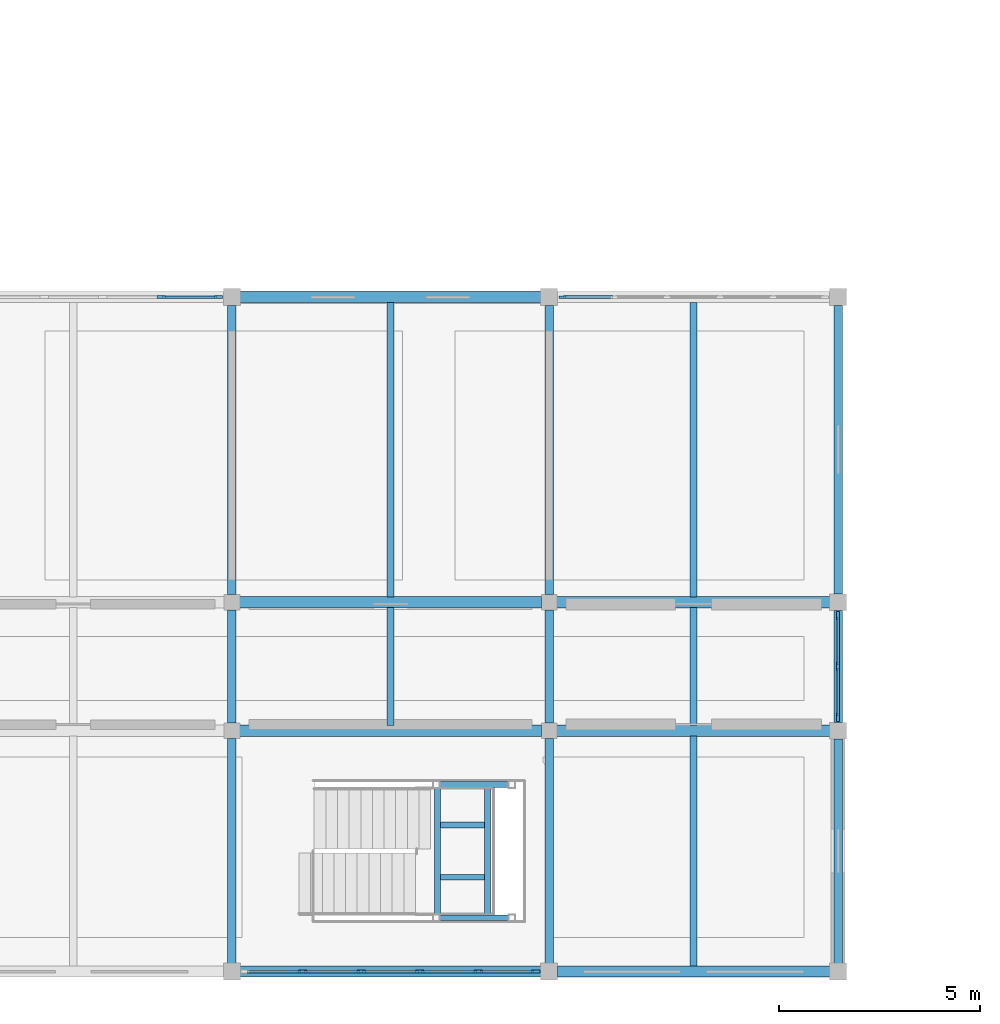
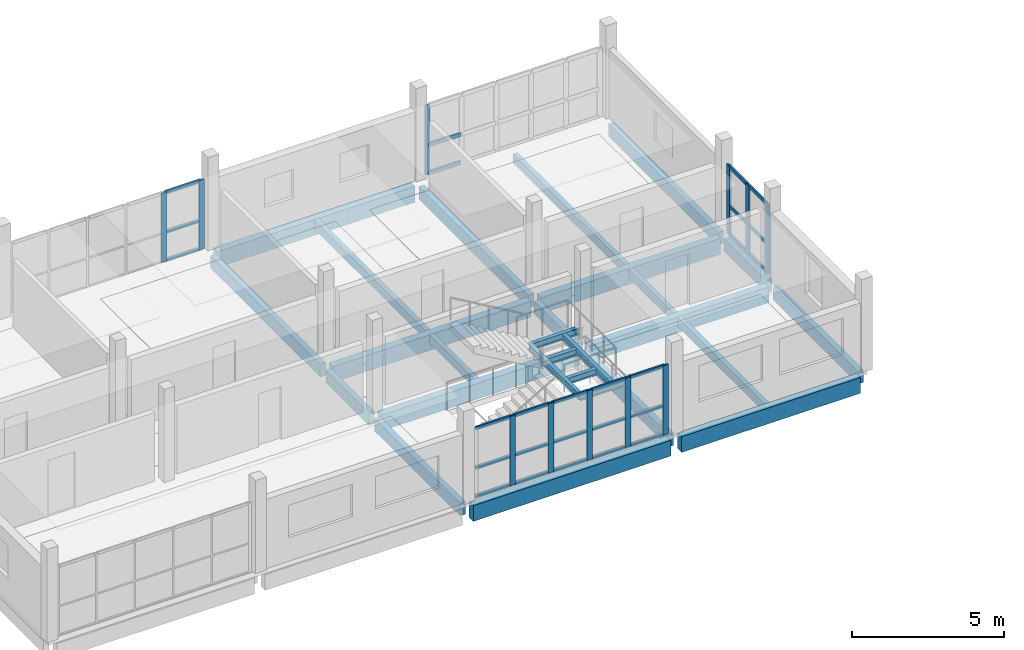
# One storey, part 16 of 77: 37 members, 27 beams, 4 elements without a shape of their own.
"""IFC4 building model written with IfcOpenShell, lengths in metres."""

import ifcopenshell
import ifcopenshell.guid

model = None  # the IFC model being written
_history = None  # IfcOwnerHistory: only IFC2X3 demands one
_inside = {}  # id of a spatial element -> (the spatial element, [elements in it])
_under = {}  # id of a project, library or spatial element -> (it, [spatial elements below it])
_declared = {}  # id of a project -> (the project, [libraries it declares])
_typed = {}  # id of a type object -> (the type object, [elements of that type])
_made_of = {}  # id of a material, layer set ... -> (it, [elements and type objects made of it])


def new_model(schema):
    """Start an empty IFC model of exactly this schema.

    Asked for "IFC4X3", IfcOpenShell would pick the latest addendum, in which some entities
    have other attributes; the version numbers below select the first issue.
    IFC2X3 requires an IfcOwnerHistory on every rooted entity: one is made here for all.
    """
    global model, _history
    if schema == "IFC4X3":
        model = ifcopenshell.file(schema_version=(4, 3, 0, 0))
    else:
        model = ifcopenshell.file(schema=schema)
    _inside.clear()
    _under.clear()
    _declared.clear()
    _typed.clear()
    _made_of.clear()
    _history = None
    if model.schema == "IFC2X3":
        org = make("IfcOrganization", Name="unknown")
        user = make(
            "IfcPersonAndOrganization",
            ThePerson=make("IfcPerson", FamilyName="unknown"),
            TheOrganization=org,
        )
        app = make(
            "IfcApplication",
            ApplicationDeveloper=org,
            Version="unknown",
            ApplicationFullName="unknown",
            ApplicationIdentifier="unknown",
        )
        _history = make(
            "IfcOwnerHistory",
            OwningUser=user,
            OwningApplication=app,
            ChangeAction="ADDED",
            CreationDate=0,
        )
    return model


def make(cls, **values):
    """One entity of the class cls with the attributes given. An attribute that is None is left unset."""
    return model.create_entity(
        cls, **{name: value for name, value in values.items() if value is not None}
    )


def rooted(cls, **values):
    """An entity with a GlobalId (a new one), such as an element, a storey or a relation."""
    return make(cls, GlobalId=ifcopenshell.guid.new(), OwnerHistory=_history, **values)


def si_unit(unit_type, name, prefix=None):
    """IfcSIUnit, for example si_unit("LENGTHUNIT", "METRE", prefix="MILLI")."""
    return make("IfcSIUnit", UnitType=unit_type, Prefix=prefix, Name=name)


def assignment(units):
    """IfcUnitAssignment: the units of a project."""
    return None if units is None else make("IfcUnitAssignment", Units=units)


def point(xyz):
    """IfcCartesianPoint."""
    return None if xyz is None else make("IfcCartesianPoint", Coordinates=xyz)


def direction(xyz):
    """IfcDirection."""
    return None if xyz is None else make("IfcDirection", DirectionRatios=xyz)


def frame(location, z_axis=None, x_axis=None):
    """IfcAxis2Placement3D, a coordinate frame: its origin and axes. An axis left out is left unset."""
    return make(
        "IfcAxis2Placement3D",
        Location=point(location),
        Axis=direction(z_axis),
        RefDirection=direction(x_axis),
    )


def frame_2d(location, x_axis=None):
    """IfcAxis2Placement2D, a coordinate frame in the plane: its origin and x axis."""
    return make(
        "IfcAxis2Placement2D", Location=point(location), RefDirection=direction(x_axis)
    )


def origin():
    """The frame at (0, 0, 0) with its axes left unset."""
    return frame((0.0, 0.0, 0.0))


def origin_2d():
    """The frame at (0, 0) in the plane with its x axis left unset."""
    return frame_2d((0.0, 0.0))


def place(relative_to, where):
    """IfcLocalPlacement: puts the frame where relative to a parent placement (None: the world)."""
    return make(
        "IfcLocalPlacement", PlacementRelTo=relative_to, RelativePlacement=where
    )


def context(
    kind, dimensions, precision=None, world=None, true_north=None, identifier=None
):
    """IfcGeometricRepresentationContext, for example the 3D "Model" context."""
    return make(
        "IfcGeometricRepresentationContext",
        ContextIdentifier=identifier,
        ContextType=kind,
        CoordinateSpaceDimension=dimensions,
        Precision=precision,
        WorldCoordinateSystem=world,
        TrueNorth=true_north,
    )


def subcontext(parent, identifier, kind, view, scale=None):
    """IfcGeometricRepresentationSubContext, for example "Body" below "Model"."""
    return make(
        "IfcGeometricRepresentationSubContext",
        ContextIdentifier=identifier,
        ContextType=kind,
        ParentContext=parent,
        TargetScale=scale,
        TargetView=view,
    )


def project(units=None, contexts=None):
    """IfcProject with its units and contexts."""
    return rooted(
        "IfcProject",
        Name="project",
        RepresentationContexts=contexts,
        UnitsInContext=assignment(units),
    )


def spatial(cls, under=None, at=None, **own):
    """A site, building, storey or space (cls), placed at a placement, below another one or the project."""
    s = rooted(cls, ObjectPlacement=at, **own)
    if under is not None:
        _under.setdefault(under.id(), (under, []))[1].append(s)
    return s


def profile(cls, at=None, kind="AREA", **sizes):
    """A parametric profile (cls). Its sizes go by their IFC names, for example OverallWidth=200.0."""
    return make(cls, ProfileType=kind, Position=at, **sizes)


def rectangle(**sizes):
    """IfcRectangleProfileDef."""
    return profile("IfcRectangleProfileDef", **sizes)


def i_section(**sizes):
    """IfcIShapeProfileDef."""
    return profile("IfcIShapeProfileDef", **sizes)


def extrude(swept, where, along, depth):
    """IfcExtrudedAreaSolid: the profile swept, set in the frame where, extruded along a direction by depth."""
    return make(
        "IfcExtrudedAreaSolid",
        SweptArea=swept,
        Position=where,
        ExtrudedDirection=direction(along),
        Depth=depth,
    )


def shape(context_of_items, identifier, shape_type, items):
    """IfcShapeRepresentation: the items that make up one representation, for example the "Body"."""
    return make(
        "IfcShapeRepresentation",
        ContextOfItems=context_of_items,
        RepresentationIdentifier=identifier,
        RepresentationType=shape_type,
        Items=items,
    )


def material(Name=None, Category=None):
    """IfcMaterial."""
    return make("IfcMaterial", Name=Name, Category=Category)


def layer(
    of_material, thickness, ventilated=None, Name=None, Category=None, Priority=None
):
    """IfcMaterialLayer: one layer of a wall or slab, of a material (None: an air gap)."""
    return make(
        "IfcMaterialLayer",
        Material=of_material,
        LayerThickness=thickness,
        IsVentilated=ventilated,
        Name=Name,
        Category=Category,
        Priority=Priority,
    )


def layer_set(layers, Name=None):
    """IfcMaterialLayerSet."""
    return make("IfcMaterialLayerSet", MaterialLayers=layers, LayerSetName=Name)


def material_profile(
    of_material, cross_section, Name=None, Category=None, Priority=None
):
    """IfcMaterialProfile: a cross section and its material."""
    return make(
        "IfcMaterialProfile",
        Name=Name,
        Material=of_material,
        Profile=cross_section,
        Priority=Priority,
        Category=Category,
    )


def profile_set(profiles, Name=None, composite=None):
    """IfcMaterialProfileSet."""
    return make(
        "IfcMaterialProfileSet",
        Name=Name,
        MaterialProfiles=profiles,
        CompositeProfile=composite,
    )


def made_of(thing, what):
    """Note that an element or type object is made of a material, layer set ...; save() writes the relation."""
    if what is not None:
        _made_of.setdefault(what.id(), (what, []))[1].append(thing)
    return thing


def type_object(cls, material=None, **own):
    """A type object (cls), such as IfcWallType, which elements share."""
    return made_of(rooted(cls, **own), material)


def element(
    cls,
    number,
    at=None,
    inside=None,
    cuts=None,
    type_object=None,
    material=None,
    context=None,
    identifier="Body",
    shape_type=None,
    held_by="IfcProductDefinitionShape",
    body=None,
    shapes=None,
    **own,
):
    """One element of the class cls, such as IfcWall. Its Tag is "e" and its number.

    at: its placement. inside: the storey or other place that contains it. cuts: it is an
    opening in that element (IfcRelVoidsElement). A single representation is given by context,
    identifier, shape_type and body (its items); several are given by shapes. held_by: the class
    of the entity that holds the representations. save() writes the other relations.
    """
    e = rooted(cls, Tag="e%d" % number, ObjectPlacement=at, **own)
    if body is not None:
        shapes = [shape(context, identifier, shape_type, body)]
    if shapes is not None:
        e.Representation = make(held_by, Representations=shapes)
    if inside is not None:
        _inside.setdefault(inside.id(), (inside, []))[1].append(e)
    if cuts is not None:
        rooted(
            "IfcRelVoidsElement", RelatingBuildingElement=cuts, RelatedOpeningElement=e
        )
    if type_object is not None:
        _typed.setdefault(type_object.id(), (type_object, []))[1].append(e)
    return made_of(e, material)


def aggregate(whole, parts):
    """IfcRelAggregates: a whole, such as a stair, and the parts it consists of."""
    return rooted("IfcRelAggregates", RelatingObject=whole, RelatedObjects=parts)


def save(model, path):
    """Write the relations noted so far, then the file.

    IfcRelAggregates (storeys below a building ...), IfcRelContainedInSpatialStructure (elements
    in a storey), IfcRelDefinesByType, IfcRelAssociatesMaterial and IfcRelDeclares: one each for
    every whole, place, type object, material and project.
    """
    for whole, parts in _under.values():
        aggregate(whole, parts)
    for where, things in _inside.values():
        rooted(
            "IfcRelContainedInSpatialStructure",
            RelatedElements=things,
            RelatingStructure=where,
        )
    for kind, things in _typed.values():
        rooted("IfcRelDefinesByType", RelatedObjects=things, RelatingType=kind)
    for what, things in _made_of.values():
        rooted("IfcRelAssociatesMaterial", RelatedObjects=things, RelatingMaterial=what)
    for by, libraries in _declared.values():
        rooted("IfcRelDeclares", RelatingContext=by, RelatedDefinitions=libraries)
    model.write(path)


model = new_model("IFC4")

# Units and contexts
model_context = context("Model", 3, precision=1e-05, world=origin(), true_north=direction((0.0, 1.0)))
body_context = subcontext(model_context, "Body", "Model", "MODEL_VIEW")
ifc_project = project(units=[si_unit("LENGTHUNIT", "METRE"), si_unit("AREAUNIT", "SQUARE_METRE"), si_unit("VOLUMEUNIT", "CUBIC_METRE"), si_unit("PLANEANGLEUNIT", "RADIAN"), si_unit("MASSUNIT", "GRAM", prefix="KILO")], contexts=[model_context])

# Site, building, storey
site_placement = place(None, origin())
site = spatial("IfcSite", under=ifc_project, at=site_placement, CompositionType="ELEMENT")
building_placement = place(site_placement, origin())
building = spatial("IfcBuilding", under=site, at=building_placement, Name="Caldaven Crescent School", CompositionType="ELEMENT")
storey_placement = place(building_placement, frame((0.0, 0.0, 4.419921875)))
storey = spatial("IfcBuildingStorey", under=building, at=storey_placement, Name="L01", CompositionType="ELEMENT", Elevation=4.419921875)

# Beams
ifc_material_1 = material(Name="Glulam MLE24h (GL28h)", Category="wood")
ifc_material_profile_1 = material_profile(ifc_material_1, rectangle(XDim=0.2099609375, YDim=0.510009765625, at=origin_2d()), Name="MLE 210x510")
ifc_profile_set_1 = profile_set([ifc_material_profile_1], Name="Glulam MLE24h (GL28h)")
beam_type_1 = type_object("IfcBeamType", Name="BM-GL51", PredefinedType="BEAM", material=ifc_profile_set_1)
beam_1_placement = place(storey_placement, frame((41.300048828125, 4.405029296875, -0.474853515625), z_axis=(0.0, 1.0, 0.0), x_axis=(-1.0, 0.0, 0.0)))
element("IfcBeam", 1, at=beam_1_placement, inside=storey, type_object=beam_type_1, Name="BMY-V4S-L01-0610", PredefinedType="BEAM", context=body_context, shape_type="SweptSolid", body=[
    extrude(rectangle(XDim=0.2099609375, YDim=0.510009765625, at=origin_2d()), origin(), (0.0, 0.0, 1.0), 5.60498046875),
])
beam_2_placement = place(storey_placement, frame((41.300048828125, 10.389892578125, -0.474853515625), z_axis=(0.0, 1.0, 0.0), x_axis=(-1.0, 0.0, 0.0)))
element("IfcBeam", 2, at=beam_2_placement, inside=storey, type_object=beam_type_1, Name="BMY-V4S-L01-0611", PredefinedType="BEAM", context=body_context, shape_type="SweptSolid", body=[
    extrude(rectangle(XDim=0.2099609375, YDim=0.510009765625, at=origin_2d()), origin(), (0.0, 0.0, 1.0), 2.820068359375),
])
beam_3_placement = place(storey_placement, frame((41.300048828125, 13.590087890625, -0.474853515625), z_axis=(0.0, 1.0, 0.0), x_axis=(-1.0, 0.0, 0.0)))
element("IfcBeam", 3, at=beam_3_placement, inside=storey, type_object=beam_type_1, Name="BMY-V4S-L01-0612", PredefinedType="BEAM", context=body_context, shape_type="SweptSolid", body=[
    extrude(rectangle(XDim=0.2099609375, YDim=0.510009765625, at=origin_2d()), origin(), (0.0, 0.0, 1.0), 7.204833984375),
])
beam_4_placement = place(storey_placement, frame((49.199951171875, 4.405029296875, -0.474853515625), z_axis=(0.0, 1.0, 0.0), x_axis=(-1.0, 0.0, 0.0)))
element("IfcBeam", 4, at=beam_4_placement, inside=storey, type_object=beam_type_1, Name="BMY-V4S-L01-0613", PredefinedType="BEAM", context=body_context, shape_type="SweptSolid", body=[
    extrude(rectangle(XDim=0.2099609375, YDim=0.510009765625, at=origin_2d()), origin(), (0.0, 0.0, 1.0), 5.60498046875),
])
beam_5_placement = place(storey_placement, frame((49.199951171875, 10.389892578125, -0.474853515625), z_axis=(0.0, 1.0, 0.0), x_axis=(-1.0, 0.0, 0.0)))
element("IfcBeam", 5, at=beam_5_placement, inside=storey, type_object=beam_type_1, Name="BMY-V4S-L01-0614", PredefinedType="BEAM", context=body_context, shape_type="SweptSolid", body=[
    extrude(rectangle(XDim=0.2099609375, YDim=0.510009765625, at=origin_2d()), origin(), (0.0, 0.0, 1.0), 2.820068359375),
])
beam_6_placement = place(storey_placement, frame((49.199951171875, 13.590087890625, -0.474853515625), z_axis=(0.0, 1.0, 0.0), x_axis=(-1.0, 0.0, 0.0)))
element("IfcBeam", 6, at=beam_6_placement, inside=storey, type_object=beam_type_1, Name="BMY-V4S-L01-0615", PredefinedType="BEAM", context=body_context, shape_type="SweptSolid", body=[
    extrude(rectangle(XDim=0.2099609375, YDim=0.510009765625, at=origin_2d()), origin(), (0.0, 0.0, 1.0), 7.204833984375),
])
beam_7_placement = place(storey_placement, frame((56.39990234375, 4.405029296875, -0.474853515625), z_axis=(0.0, 1.0, 0.0), x_axis=(-1.0, 0.0, 0.0)))
element("IfcBeam", 7, at=beam_7_placement, inside=storey, type_object=beam_type_1, Name="BMY-V4S-L01-0616", PredefinedType="BEAM", context=body_context, shape_type="SweptSolid", body=[
    extrude(rectangle(XDim=0.2099609375, YDim=0.510009765625, at=origin_2d()), origin(), (0.0, 0.0, 1.0), 5.590087890625),
])
beam_8_placement = place(storey_placement, frame((56.39990234375, 10.405029296875, -0.474853515625), z_axis=(0.0, 1.0, 0.0), x_axis=(-1.0, 0.0, 0.0)))
element("IfcBeam", 8, at=beam_8_placement, inside=storey, type_object=beam_type_1, Name="BMY-V4S-L01-0617", PredefinedType="BEAM", context=body_context, shape_type="SweptSolid", body=[
    extrude(rectangle(XDim=0.2099609375, YDim=0.510009765625, at=origin_2d()), origin(), (0.0, 0.0, 1.0), 2.7900390625),
])
beam_9_placement = place(storey_placement, frame((56.39990234375, 13.60498046875, -0.474853515625), z_axis=(0.0, 1.0, 0.0), x_axis=(-1.0, 0.0, 0.0)))
element("IfcBeam", 9, at=beam_9_placement, inside=storey, type_object=beam_type_1, Name="BMY-V4S-L01-0618", PredefinedType="BEAM", context=body_context, shape_type="SweptSolid", body=[
    extrude(rectangle(XDim=0.2099609375, YDim=0.510009765625, at=origin_2d()), origin(), (0.0, 0.0, 1.0), 7.18994140625),
])
ifc_material_profile_2 = material_profile(ifc_material_1, rectangle(XDim=0.280029296875, YDim=0.6298828125, at=origin_2d()), Name="MLE 280x630")
ifc_profile_set_2 = profile_set([ifc_material_profile_2], Name="Glulam MLE24h (GL28h)")
beam_type_2 = type_object("IfcBeamType", Name="BM-GL63", PredefinedType="BEAM", material=ifc_profile_set_2)
beam_10_placement = place(storey_placement, frame((41.5048828125, 4.199951171875, -0.534912109375), z_axis=(1.0, 0.0, 0.0), x_axis=(0.0, 1.0, 0.0)))
element("IfcBeam", 10, at=beam_10_placement, inside=storey, type_object=beam_type_2, Name="BMX-V4S-L01-0590", PredefinedType="BEAM", context=body_context, shape_type="SweptSolid", body=[
    extrude(rectangle(XDim=0.280029296875, YDim=0.6298828125, at=origin_2d()), origin(), (0.0, 0.0, 1.0), 7.490234375),
])
beam_11_placement = place(storey_placement, frame((49.405029296875, 4.199951171875, -0.534912109375), z_axis=(1.0, 0.0, 0.0), x_axis=(0.0, 1.0, 0.0)))
element("IfcBeam", 11, at=beam_11_placement, inside=storey, type_object=beam_type_2, Name="BMX-V4S-L01-0591", PredefinedType="BEAM", context=body_context, shape_type="SweptSolid", body=[
    extrude(rectangle(XDim=0.280029296875, YDim=0.6298828125, at=origin_2d()), origin(), (0.0, 0.0, 1.0), 6.7900390625),
])
beam_12_placement = place(storey_placement, frame((41.489990234375, 10.199951171875, -0.534912109375), z_axis=(1.0, 0.0, 0.0), x_axis=(0.0, 1.0, 0.0)))
element("IfcBeam", 12, at=beam_12_placement, inside=storey, type_object=beam_type_2, Name="BMX-V4S-L01-0594", PredefinedType="BEAM", context=body_context, shape_type="SweptSolid", body=[
    extrude(rectangle(XDim=0.280029296875, YDim=0.6298828125, at=origin_2d()), origin(), (0.0, 0.0, 1.0), 7.52001953125),
])
beam_13_placement = place(storey_placement, frame((49.389892578125, 10.199951171875, -0.534912109375), z_axis=(1.0, 0.0, 0.0), x_axis=(0.0, 1.0, 0.0)))
element("IfcBeam", 13, at=beam_13_placement, inside=storey, type_object=beam_type_2, Name="BMX-V4S-L01-0595", PredefinedType="BEAM", context=body_context, shape_type="SweptSolid", body=[
    extrude(rectangle(XDim=0.280029296875, YDim=0.6298828125, at=origin_2d()), origin(), (0.0, 0.0, 1.0), 6.80517578125),
])
beam_14_placement = place(storey_placement, frame((41.489990234375, 13.39990234375, -0.534912109375), z_axis=(1.0, 0.0, 0.0), x_axis=(0.0, 1.0, 0.0)))
element("IfcBeam", 14, at=beam_14_placement, inside=storey, type_object=beam_type_2, Name="BMX-V4S-L01-0598", PredefinedType="BEAM", context=body_context, shape_type="SweptSolid", body=[
    extrude(rectangle(XDim=0.280029296875, YDim=0.6298828125, at=origin_2d()), origin(), (0.0, 0.0, 1.0), 7.52001953125),
])
beam_15_placement = place(storey_placement, frame((49.389892578125, 13.39990234375, -0.534912109375), z_axis=(1.0, 0.0, 0.0), x_axis=(0.0, 1.0, 0.0)))
element("IfcBeam", 15, at=beam_15_placement, inside=storey, type_object=beam_type_2, Name="BMX-V4S-L01-0599", PredefinedType="BEAM", context=body_context, shape_type="SweptSolid", body=[
    extrude(rectangle(XDim=0.280029296875, YDim=0.6298828125, at=origin_2d()), origin(), (0.0, 0.0, 1.0), 6.80517578125),
])
beam_16_placement = place(storey_placement, frame((41.5048828125, 21.0, -0.534912109375), z_axis=(1.0, 0.0, 0.0), x_axis=(0.0, 1.0, 0.0)))
element("IfcBeam", 16, at=beam_16_placement, inside=storey, type_object=beam_type_2, Name="BMX-V4S-L01-0602", PredefinedType="BEAM", context=body_context, shape_type="SweptSolid", body=[
    extrude(rectangle(XDim=0.280029296875, YDim=0.6298828125, at=origin_2d()), origin(), (0.0, 0.0, 1.0), 7.490234375),
])
ifc_material_2 = material(Name="Steel ASTM A572 Grade 50", Category="steel")
ifc_material_profile_3 = material_profile(ifc_material_2, i_section(OverallWidth=0.14599609375, OverallDepth=0.258056640625, WebThickness=0.006103515625, FlangeThickness=0.009033203125, FilletRadius=0.011962890625, at=origin_2d()), Name="W250x33")
ifc_profile_set_3 = profile_set([ifc_material_profile_3], Name="Steel ASTM A572 Grade 50")
beam_type_3 = type_object("IfcBeamType", Name="BM-W25", PredefinedType="BEAM", material=ifc_profile_set_3)
for number, where, z_axis, x_axis, name in (
    (17, (46.389892578125, 5.5400390625, 1.546142578125), (1.0, 0.0, 0.0), (0.0, 1.0, 0.0), "BM-STSIDE-STV4S-L01-SL"),
    (18, (46.389892578125, 8.860107421875, 1.546142578125), (1.0, 0.0, 0.0), (0.0, 1.0, 0.0), "BM-STSIDE-STV4S-L01-SR"),
):
    element("IfcBeam", number, at=place(storey_placement, frame(where, z_axis=z_axis, x_axis=x_axis)), inside=storey, type_object=beam_type_3, Name=name, PredefinedType="BEAM", context=body_context, shape_type="SweptSolid", body=[
        extrude(i_section(OverallWidth=0.14599609375, OverallDepth=0.258056640625, WebThickness=0.006103515625, FlangeThickness=0.009033203125, FilletRadius=0.011962890625, at=origin_2d()), origin(), (0.0, 0.0, 1.0), 1.880126953125),
    ])
for number, where, z_axis, x_axis, name in (
    (19, (46.419921875, 5.5400390625, 1.546142578125), (0.0, 1.0, 0.0), (-1.0, 0.0, 0.0), "BM-STLND-STV4S-L01-IN"),
    (20, (47.669921875, 5.5400390625, 1.546142578125), (0.0, 1.0, 0.0), (-1.0, 0.0, 0.0), "BM-STLND-STV4S-L01-OUT"),
):
    element("IfcBeam", number, at=place(storey_placement, frame(where, z_axis=z_axis, x_axis=x_axis)), inside=storey, type_object=beam_type_3, Name=name, PredefinedType="BEAM", context=body_context, shape_type="SweptSolid", body=[
        extrude(i_section(OverallWidth=0.14599609375, OverallDepth=0.258056640625, WebThickness=0.006103515625, FlangeThickness=0.009033203125, FilletRadius=0.011962890625, at=origin_2d()), origin(), (0.0, 0.0, 1.0), 3.320068359375),
    ])

# Curtain wall, member
ifc_material_3 = material(Name="Anodised aluminium AA 6063-T6 and low-E double glazing", Category="aluminium")
ifc_layer_1 = layer(ifc_material_3, 0.169921875)
ifc_layer_set_1 = layer_set([ifc_layer_1], Name="Anodised aluminium AA 6063-T6 and low-E double glazing")
curtain_wall_type_1 = type_object("IfcCurtainWallType", Name="CW-SYS1", PredefinedType="NOTDEFINED", material=ifc_layer_set_1)
curtain_wall_1_placement = place(storey_placement, origin())
curtain_wall_1 = element("IfcCurtainWall", 21, at=curtain_wall_1_placement, inside=storey, type_object=curtain_wall_type_1, Name="CW-L01-096", PredefinedType="NOTDEFINED")
ifc_material_4 = material(Name="Anodised aluminium AA 6063-T6", Category="aluminium")
ifc_material_profile_4 = material_profile(ifc_material_4, rectangle(XDim=0.06494140625, YDim=0.179931640625, at=origin_2d()), Name="CWM 65x180")
ifc_profile_set_4 = profile_set([ifc_material_profile_4], Name="Anodised aluminium AA 6063-T6")
member_type_1 = type_object("IfcMemberType", Name="CWM-T2", PredefinedType="MULLION", material=ifc_profile_set_4)
member_1_placement = place(storey_placement, frame((49.532470703125, 21.0, 0.0), z_axis=(0.0, 0.0, 1.0), x_axis=(0.0, 1.0, 0.0)))
member_1 = element("IfcMember", 22, at=member_1_placement, type_object=member_type_1, Name="CW1 mullion 1", PredefinedType="MULLION", context=body_context, shape_type="SweptSolid", body=[
    extrude(rectangle(XDim=0.06494140625, YDim=0.179931640625, at=origin_2d()), origin(), (0.0, 0.0, 1.0), 2.780029296875),
])

# Curtain wall, members
ifc_layer_2 = layer(ifc_material_3, 0.2099609375)
ifc_layer_set_2 = layer_set([ifc_layer_2], Name="Anodised aluminium AA 6063-T6 and low-E double glazing")
curtain_wall_type_2 = type_object("IfcCurtainWallType", Name="CW-SYS3", PredefinedType="NOTDEFINED", material=ifc_layer_set_2)
curtain_wall_2_placement = place(storey_placement, origin())
curtain_wall_2 = element("IfcCurtainWall", 23, at=curtain_wall_2_placement, inside=storey, type_object=curtain_wall_type_2, Name="CW-L01-094", PredefinedType="NOTDEFINED")
ifc_material_profile_5 = material_profile(ifc_material_4, rectangle(XDim=0.070068359375, YDim=0.2099609375, at=origin_2d()), Name="CWM 70x210")
ifc_profile_set_5 = profile_set([ifc_material_profile_5], Name="Anodised aluminium AA 6063-T6")
member_type_2 = type_object("IfcMemberType", Name="CWM-T3", PredefinedType="MULLION", material=ifc_profile_set_5)
member_2_placement = place(storey_placement, frame((43.06005859375, 4.199951171875, 0.0), z_axis=(0.0, 0.0, 1.0), x_axis=(0.0, 1.0, 0.0)))
member_2 = element("IfcMember", 24, at=member_2_placement, type_object=member_type_2, Name="CW3 mullion 2", PredefinedType="MULLION", context=body_context, shape_type="SweptSolid", body=[
    extrude(rectangle(XDim=0.070068359375, YDim=0.2099609375, at=origin_2d()), origin(), (0.0, 0.0, 1.0), 2.780029296875),
])
member_3_placement = place(storey_placement, frame((44.52001953125, 4.199951171875, 0.0), z_axis=(0.0, 0.0, 1.0), x_axis=(0.0, 1.0, 0.0)))
member_3 = element("IfcMember", 25, at=member_3_placement, type_object=member_type_2, Name="CW3 mullion 3", PredefinedType="MULLION", context=body_context, shape_type="SweptSolid", body=[
    extrude(rectangle(XDim=0.070068359375, YDim=0.2099609375, at=origin_2d()), origin(), (0.0, 0.0, 1.0), 2.780029296875),
])
member_4_placement = place(storey_placement, frame((45.97998046875, 4.199951171875, 0.0), z_axis=(0.0, 0.0, 1.0), x_axis=(0.0, 1.0, 0.0)))
member_4 = element("IfcMember", 26, at=member_4_placement, type_object=member_type_2, Name="CW3 mullion 4", PredefinedType="MULLION", context=body_context, shape_type="SweptSolid", body=[
    extrude(rectangle(XDim=0.070068359375, YDim=0.2099609375, at=origin_2d()), origin(), (0.0, 0.0, 1.0), 2.780029296875),
])
member_5_placement = place(storey_placement, frame((47.43994140625, 4.199951171875, 0.0), z_axis=(0.0, 0.0, 1.0), x_axis=(0.0, 1.0, 0.0)))
member_5 = element("IfcMember", 27, at=member_5_placement, type_object=member_type_2, Name="CW3 mullion 5", PredefinedType="MULLION", context=body_context, shape_type="SweptSolid", body=[
    extrude(rectangle(XDim=0.070068359375, YDim=0.2099609375, at=origin_2d()), origin(), (0.0, 0.0, 1.0), 2.780029296875),
])
member_6_placement = place(storey_placement, frame((48.864990234375, 4.199951171875, 0.0), z_axis=(0.0, 0.0, 1.0), x_axis=(0.0, 1.0, 0.0)))
member_6 = element("IfcMember", 28, at=member_6_placement, type_object=member_type_2, Name="CW3 mullion 6", PredefinedType="MULLION", context=body_context, shape_type="SweptSolid", body=[
    extrude(rectangle(XDim=0.070068359375, YDim=0.2099609375, at=origin_2d()), origin(), (0.0, 0.0, 1.0), 2.780029296875),
])

curtain_wall_3_placement = place(storey_placement, origin())
curtain_wall_3 = element("IfcCurtainWall", 29, at=curtain_wall_3_placement, inside=storey, type_object=curtain_wall_type_2, Name="CW-L01-095", PredefinedType="NOTDEFINED")
member_7_placement = place(storey_placement, frame((39.5400390625, 21.0, 0.0), z_axis=(0.0, 0.0, 1.0), x_axis=(0.0, 1.0, 0.0)))
member_7 = element("IfcMember", 30, at=member_7_placement, type_object=member_type_2, Name="CW3 mullion 5", PredefinedType="MULLION", context=body_context, shape_type="SweptSolid", body=[
    extrude(rectangle(XDim=0.070068359375, YDim=0.2099609375, at=origin_2d()), origin(), (0.0, 0.0, 1.0), 2.780029296875),
])
member_8_placement = place(storey_placement, frame((40.965087890625, 21.0, 0.0), z_axis=(0.0, 0.0, 1.0), x_axis=(0.0, 1.0, 0.0)))
member_8 = element("IfcMember", 31, at=member_8_placement, type_object=member_type_2, Name="CW3 mullion 6", PredefinedType="MULLION", context=body_context, shape_type="SweptSolid", body=[
    extrude(rectangle(XDim=0.070068359375, YDim=0.2099609375, at=origin_2d()), origin(), (0.0, 0.0, 1.0), 2.780029296875),
])

curtain_wall_4_placement = place(storey_placement, origin())
curtain_wall_4 = element("IfcCurtainWall", 32, at=curtain_wall_4_placement, inside=storey, type_object=curtain_wall_type_2, Name="CW-L01-098", PredefinedType="NOTDEFINED")
member_9_placement = place(storey_placement, frame((56.39990234375, 10.534912109375, 0.0), z_axis=(0.0, 0.0, 1.0), x_axis=(-1.0, 0.0, 0.0)))
member_9 = element("IfcMember", 33, at=member_9_placement, type_object=member_type_2, Name="CW3 mullion 1", PredefinedType="MULLION", context=body_context, shape_type="SweptSolid", body=[
    extrude(rectangle(XDim=0.070068359375, YDim=0.2099609375, at=origin_2d()), origin(), (0.0, 0.0, 1.0), 2.780029296875),
])
member_10_placement = place(storey_placement, frame((56.39990234375, 11.800048828125, 0.0), z_axis=(0.0, 0.0, 1.0), x_axis=(-1.0, 0.0, 0.0)))
member_10 = element("IfcMember", 34, at=member_10_placement, type_object=member_type_2, Name="CW3 mullion 2", PredefinedType="MULLION", context=body_context, shape_type="SweptSolid", body=[
    extrude(rectangle(XDim=0.070068359375, YDim=0.2099609375, at=origin_2d()), origin(), (0.0, 0.0, 1.0), 2.780029296875),
])
member_11_placement = place(storey_placement, frame((56.39990234375, 13.06494140625, 0.0), z_axis=(0.0, 0.0, 1.0), x_axis=(-1.0, 0.0, 0.0)))
member_11 = element("IfcMember", 35, at=member_11_placement, type_object=member_type_2, Name="CW3 mullion 3", PredefinedType="MULLION", context=body_context, shape_type="SweptSolid", body=[
    extrude(rectangle(XDim=0.070068359375, YDim=0.2099609375, at=origin_2d()), origin(), (0.0, 0.0, 1.0), 2.780029296875),
])

# Member
ifc_material_profile_6 = material_profile(ifc_material_4, rectangle(XDim=0.06494140625, YDim=0.139892578125, at=origin_2d()), Name="CWT 65x140")
ifc_profile_set_6 = profile_set([ifc_material_profile_6], Name="Anodised aluminium AA 6063-T6")
member_type_3 = type_object("IfcMemberType", Name="CWT-T2", PredefinedType="USERDEFINED", material=ifc_profile_set_6)
member_12_placement = place(storey_placement, frame((41.669921875, 4.199951171875, 0.032470703125), z_axis=(1.0, 0.0, 0.0), x_axis=(0.0, 1.0, 0.0)))
member_12 = element("IfcMember", 36, at=member_12_placement, type_object=member_type_3, Name="CW3 transom 1.1", ObjectType="TRANSOM", PredefinedType="USERDEFINED", context=body_context, shape_type="SweptSolid", body=[
    extrude(rectangle(XDim=0.06494140625, YDim=0.139892578125, at=origin_2d()), origin(), (0.0, 0.0, 1.0), 1.35498046875),
])

member_13_placement = place(storey_placement, frame((41.669921875, 4.199951171875, 1.16796875), z_axis=(1.0, 0.0, 0.0), x_axis=(0.0, 1.0, 0.0)))
member_13 = element("IfcMember", 37, at=member_13_placement, type_object=member_type_3, Name="CW3 transom 1.2", ObjectType="TRANSOM", PredefinedType="USERDEFINED", context=body_context, shape_type="SweptSolid", body=[
    extrude(rectangle(XDim=0.06494140625, YDim=0.139892578125, at=origin_2d()), origin(), (0.0, 0.0, 1.0), 1.35498046875),
])

member_14_placement = place(storey_placement, frame((41.669921875, 4.199951171875, 2.74755859375), z_axis=(1.0, 0.0, 0.0), x_axis=(0.0, 1.0, 0.0)))
member_14 = element("IfcMember", 38, at=member_14_placement, type_object=member_type_3, Name="CW3 transom 1.3", ObjectType="TRANSOM", PredefinedType="USERDEFINED", context=body_context, shape_type="SweptSolid", body=[
    extrude(rectangle(XDim=0.06494140625, YDim=0.139892578125, at=origin_2d()), origin(), (0.0, 0.0, 1.0), 1.35498046875),
])

member_15_placement = place(storey_placement, frame((43.094970703125, 4.199951171875, 0.032470703125), z_axis=(1.0, 0.0, 0.0), x_axis=(0.0, 1.0, 0.0)))
member_15 = element("IfcMember", 39, at=member_15_placement, type_object=member_type_3, Name="CW3 transom 2.1", ObjectType="TRANSOM", PredefinedType="USERDEFINED", context=body_context, shape_type="SweptSolid", body=[
    extrude(rectangle(XDim=0.06494140625, YDim=0.139892578125, at=origin_2d()), origin(), (0.0, 0.0, 1.0), 1.39013671875),
])

member_16_placement = place(storey_placement, frame((43.094970703125, 4.199951171875, 1.16796875), z_axis=(1.0, 0.0, 0.0), x_axis=(0.0, 1.0, 0.0)))
member_16 = element("IfcMember", 40, at=member_16_placement, type_object=member_type_3, Name="CW3 transom 2.2", ObjectType="TRANSOM", PredefinedType="USERDEFINED", context=body_context, shape_type="SweptSolid", body=[
    extrude(rectangle(XDim=0.06494140625, YDim=0.139892578125, at=origin_2d()), origin(), (0.0, 0.0, 1.0), 1.39013671875),
])

member_17_placement = place(storey_placement, frame((43.094970703125, 4.199951171875, 2.74755859375), z_axis=(1.0, 0.0, 0.0), x_axis=(0.0, 1.0, 0.0)))
member_17 = element("IfcMember", 41, at=member_17_placement, type_object=member_type_3, Name="CW3 transom 2.3", ObjectType="TRANSOM", PredefinedType="USERDEFINED", context=body_context, shape_type="SweptSolid", body=[
    extrude(rectangle(XDim=0.06494140625, YDim=0.139892578125, at=origin_2d()), origin(), (0.0, 0.0, 1.0), 1.39013671875),
])

member_18_placement = place(storey_placement, frame((44.554931640625, 4.199951171875, 0.032470703125), z_axis=(1.0, 0.0, 0.0), x_axis=(0.0, 1.0, 0.0)))
member_18 = element("IfcMember", 42, at=member_18_placement, type_object=member_type_3, Name="CW3 transom 3.1", ObjectType="TRANSOM", PredefinedType="USERDEFINED", context=body_context, shape_type="SweptSolid", body=[
    extrude(rectangle(XDim=0.06494140625, YDim=0.139892578125, at=origin_2d()), origin(), (0.0, 0.0, 1.0), 1.39013671875),
])

member_19_placement = place(storey_placement, frame((44.554931640625, 4.199951171875, 1.16796875), z_axis=(1.0, 0.0, 0.0), x_axis=(0.0, 1.0, 0.0)))
member_19 = element("IfcMember", 43, at=member_19_placement, type_object=member_type_3, Name="CW3 transom 3.2", ObjectType="TRANSOM", PredefinedType="USERDEFINED", context=body_context, shape_type="SweptSolid", body=[
    extrude(rectangle(XDim=0.06494140625, YDim=0.139892578125, at=origin_2d()), origin(), (0.0, 0.0, 1.0), 1.39013671875),
])

member_20_placement = place(storey_placement, frame((44.554931640625, 4.199951171875, 2.74755859375), z_axis=(1.0, 0.0, 0.0), x_axis=(0.0, 1.0, 0.0)))
member_20 = element("IfcMember", 44, at=member_20_placement, type_object=member_type_3, Name="CW3 transom 3.3", ObjectType="TRANSOM", PredefinedType="USERDEFINED", context=body_context, shape_type="SweptSolid", body=[
    extrude(rectangle(XDim=0.06494140625, YDim=0.139892578125, at=origin_2d()), origin(), (0.0, 0.0, 1.0), 1.39013671875),
])

member_21_placement = place(storey_placement, frame((46.014892578125, 4.199951171875, 0.032470703125), z_axis=(1.0, 0.0, 0.0), x_axis=(0.0, 1.0, 0.0)))
member_21 = element("IfcMember", 45, at=member_21_placement, type_object=member_type_3, Name="CW3 transom 4.1", ObjectType="TRANSOM", PredefinedType="USERDEFINED", context=body_context, shape_type="SweptSolid", body=[
    extrude(rectangle(XDim=0.06494140625, YDim=0.139892578125, at=origin_2d()), origin(), (0.0, 0.0, 1.0), 1.39013671875),
])

member_22_placement = place(storey_placement, frame((46.014892578125, 4.199951171875, 1.16796875), z_axis=(1.0, 0.0, 0.0), x_axis=(0.0, 1.0, 0.0)))
member_22 = element("IfcMember", 46, at=member_22_placement, type_object=member_type_3, Name="CW3 transom 4.2", ObjectType="TRANSOM", PredefinedType="USERDEFINED", context=body_context, shape_type="SweptSolid", body=[
    extrude(rectangle(XDim=0.06494140625, YDim=0.139892578125, at=origin_2d()), origin(), (0.0, 0.0, 1.0), 1.39013671875),
])

member_23_placement = place(storey_placement, frame((46.014892578125, 4.199951171875, 2.74755859375), z_axis=(1.0, 0.0, 0.0), x_axis=(0.0, 1.0, 0.0)))
member_23 = element("IfcMember", 47, at=member_23_placement, type_object=member_type_3, Name="CW3 transom 4.3", ObjectType="TRANSOM", PredefinedType="USERDEFINED", context=body_context, shape_type="SweptSolid", body=[
    extrude(rectangle(XDim=0.06494140625, YDim=0.139892578125, at=origin_2d()), origin(), (0.0, 0.0, 1.0), 1.39013671875),
])

member_24_placement = place(storey_placement, frame((47.47509765625, 4.199951171875, 0.032470703125), z_axis=(1.0, 0.0, 0.0), x_axis=(0.0, 1.0, 0.0)))
member_24 = element("IfcMember", 48, at=member_24_placement, type_object=member_type_3, Name="CW3 transom 5.1", ObjectType="TRANSOM", PredefinedType="USERDEFINED", context=body_context, shape_type="SweptSolid", body=[
    extrude(rectangle(XDim=0.06494140625, YDim=0.139892578125, at=origin_2d()), origin(), (0.0, 0.0, 1.0), 1.35498046875),
])

member_25_placement = place(storey_placement, frame((47.47509765625, 4.199951171875, 1.16796875), z_axis=(1.0, 0.0, 0.0), x_axis=(0.0, 1.0, 0.0)))
member_25 = element("IfcMember", 49, at=member_25_placement, type_object=member_type_3, Name="CW3 transom 5.2", ObjectType="TRANSOM", PredefinedType="USERDEFINED", context=body_context, shape_type="SweptSolid", body=[
    extrude(rectangle(XDim=0.06494140625, YDim=0.139892578125, at=origin_2d()), origin(), (0.0, 0.0, 1.0), 1.35498046875),
])

member_26_placement = place(storey_placement, frame((47.47509765625, 4.199951171875, 2.74755859375), z_axis=(1.0, 0.0, 0.0), x_axis=(0.0, 1.0, 0.0)))
member_26 = element("IfcMember", 50, at=member_26_placement, type_object=member_type_3, Name="CW3 transom 5.3", ObjectType="TRANSOM", PredefinedType="USERDEFINED", context=body_context, shape_type="SweptSolid", body=[
    extrude(rectangle(XDim=0.06494140625, YDim=0.139892578125, at=origin_2d()), origin(), (0.0, 0.0, 1.0), 1.35498046875),
])

aggregate(curtain_wall_2, [member_2, member_3, member_4, member_5, member_6, member_12, member_13, member_14, member_15, member_16, member_17, member_18, member_19, member_20, member_21, member_22, member_23, member_24, member_25, member_26])

member_27_placement = place(storey_placement, frame((39.574951171875, 21.0, 0.032470703125), z_axis=(1.0, 0.0, 0.0), x_axis=(0.0, 1.0, 0.0)))
member_27 = element("IfcMember", 51, at=member_27_placement, type_object=member_type_3, Name="CW3 transom 5.1", ObjectType="TRANSOM", PredefinedType="USERDEFINED", context=body_context, shape_type="SweptSolid", body=[
    extrude(rectangle(XDim=0.06494140625, YDim=0.139892578125, at=origin_2d()), origin(), (0.0, 0.0, 1.0), 1.35498046875),
])

member_28_placement = place(storey_placement, frame((39.574951171875, 21.0, 1.16796875), z_axis=(1.0, 0.0, 0.0), x_axis=(0.0, 1.0, 0.0)))
member_28 = element("IfcMember", 52, at=member_28_placement, type_object=member_type_3, Name="CW3 transom 5.2", ObjectType="TRANSOM", PredefinedType="USERDEFINED", context=body_context, shape_type="SweptSolid", body=[
    extrude(rectangle(XDim=0.06494140625, YDim=0.139892578125, at=origin_2d()), origin(), (0.0, 0.0, 1.0), 1.35498046875),
])

member_29_placement = place(storey_placement, frame((39.574951171875, 21.0, 2.74755859375), z_axis=(1.0, 0.0, 0.0), x_axis=(0.0, 1.0, 0.0)))
member_29 = element("IfcMember", 53, at=member_29_placement, type_object=member_type_3, Name="CW3 transom 5.3", ObjectType="TRANSOM", PredefinedType="USERDEFINED", context=body_context, shape_type="SweptSolid", body=[
    extrude(rectangle(XDim=0.06494140625, YDim=0.139892578125, at=origin_2d()), origin(), (0.0, 0.0, 1.0), 1.35498046875),
])

aggregate(curtain_wall_3, [member_7, member_8, member_27, member_28, member_29])

member_30_placement = place(storey_placement, frame((56.39990234375, 10.570068359375, 0.032470703125), z_axis=(0.0, 1.0, 0.0), x_axis=(-1.0, 0.0, 0.0)))
member_30 = element("IfcMember", 54, at=member_30_placement, type_object=member_type_3, Name="CW3 transom 1.1", ObjectType="TRANSOM", PredefinedType="USERDEFINED", context=body_context, shape_type="SweptSolid", body=[
    extrude(rectangle(XDim=0.06494140625, YDim=0.139892578125, at=origin_2d()), origin(), (0.0, 0.0, 1.0), 1.19482421875),
])

member_31_placement = place(storey_placement, frame((56.39990234375, 10.570068359375, 1.16796875), z_axis=(0.0, 1.0, 0.0), x_axis=(-1.0, 0.0, 0.0)))
member_31 = element("IfcMember", 55, at=member_31_placement, type_object=member_type_3, Name="CW3 transom 1.2", ObjectType="TRANSOM", PredefinedType="USERDEFINED", context=body_context, shape_type="SweptSolid", body=[
    extrude(rectangle(XDim=0.06494140625, YDim=0.139892578125, at=origin_2d()), origin(), (0.0, 0.0, 1.0), 1.19482421875),
])

member_32_placement = place(storey_placement, frame((56.39990234375, 10.570068359375, 2.74755859375), z_axis=(0.0, 1.0, 0.0), x_axis=(-1.0, 0.0, 0.0)))
member_32 = element("IfcMember", 56, at=member_32_placement, type_object=member_type_3, Name="CW3 transom 1.3", ObjectType="TRANSOM", PredefinedType="USERDEFINED", context=body_context, shape_type="SweptSolid", body=[
    extrude(rectangle(XDim=0.06494140625, YDim=0.139892578125, at=origin_2d()), origin(), (0.0, 0.0, 1.0), 1.19482421875),
])

member_33_placement = place(storey_placement, frame((56.39990234375, 11.8349609375, 0.032470703125), z_axis=(0.0, 1.0, 0.0), x_axis=(-1.0, 0.0, 0.0)))
member_33 = element("IfcMember", 57, at=member_33_placement, type_object=member_type_3, Name="CW3 transom 2.1", ObjectType="TRANSOM", PredefinedType="USERDEFINED", context=body_context, shape_type="SweptSolid", body=[
    extrude(rectangle(XDim=0.06494140625, YDim=0.139892578125, at=origin_2d()), origin(), (0.0, 0.0, 1.0), 1.195068359375),
])

member_34_placement = place(storey_placement, frame((56.39990234375, 11.8349609375, 1.16796875), z_axis=(0.0, 1.0, 0.0), x_axis=(-1.0, 0.0, 0.0)))
member_34 = element("IfcMember", 58, at=member_34_placement, type_object=member_type_3, Name="CW3 transom 2.2", ObjectType="TRANSOM", PredefinedType="USERDEFINED", context=body_context, shape_type="SweptSolid", body=[
    extrude(rectangle(XDim=0.06494140625, YDim=0.139892578125, at=origin_2d()), origin(), (0.0, 0.0, 1.0), 1.195068359375),
])

member_35_placement = place(storey_placement, frame((56.39990234375, 11.8349609375, 2.74755859375), z_axis=(0.0, 1.0, 0.0), x_axis=(-1.0, 0.0, 0.0)))
member_35 = element("IfcMember", 59, at=member_35_placement, type_object=member_type_3, Name="CW3 transom 2.3", ObjectType="TRANSOM", PredefinedType="USERDEFINED", context=body_context, shape_type="SweptSolid", body=[
    extrude(rectangle(XDim=0.06494140625, YDim=0.139892578125, at=origin_2d()), origin(), (0.0, 0.0, 1.0), 1.195068359375),
])

aggregate(curtain_wall_4, [member_9, member_10, member_11, member_30, member_31, member_32, member_33, member_34, member_35])

ifc_material_profile_7 = material_profile(ifc_material_4, rectangle(XDim=0.070068359375, YDim=0.159912109375, at=origin_2d()), Name="CWT 70x160")
ifc_profile_set_7 = profile_set([ifc_material_profile_7], Name="Anodised aluminium AA 6063-T6")
member_type_4 = type_object("IfcMemberType", Name="CWT-T3", PredefinedType="USERDEFINED", material=ifc_profile_set_7)
member_36_placement = place(storey_placement, frame((49.56494140625, 21.0, 0.03515625), z_axis=(1.0, 0.0, 0.0), x_axis=(0.0, 1.0, 0.0)))
member_36 = element("IfcMember", 60, at=member_36_placement, type_object=member_type_4, Name="CW1 transom 1.1", ObjectType="TRANSOM", PredefinedType="USERDEFINED", context=body_context, shape_type="SweptSolid", body=[
    extrude(rectangle(XDim=0.070068359375, YDim=0.159912109375, at=origin_2d()), origin(), (0.0, 0.0, 1.0), 1.22265625),
])

member_37_placement = place(storey_placement, frame((49.56494140625, 21.0, 1.16796875), z_axis=(1.0, 0.0, 0.0), x_axis=(0.0, 1.0, 0.0)))
member_37 = element("IfcMember", 61, at=member_37_placement, type_object=member_type_4, Name="CW1 transom 1.2", ObjectType="TRANSOM", PredefinedType="USERDEFINED", context=body_context, shape_type="SweptSolid", body=[
    extrude(rectangle(XDim=0.070068359375, YDim=0.159912109375, at=origin_2d()), origin(), (0.0, 0.0, 1.0), 1.22265625),
])

aggregate(curtain_wall_1, [member_1, member_36, member_37])

# Beams
ifc_material_profile_8 = material_profile(ifc_material_1, rectangle(XDim=0.179931640625, YDim=0.360107421875, at=origin_2d()), Name="MLE 180x360")
ifc_profile_set_8 = profile_set([ifc_material_profile_8], Name="Glulam MLE24h (GL28h)")
beam_type_4 = type_object("IfcBeamType", Name="JS-GL36", PredefinedType="JOIST", material=ifc_profile_set_8)
beam_17_placement = place(storey_placement, frame((45.25, 10.3349609375, -0.39990234375), z_axis=(0.0, 1.0, 0.0), x_axis=(-1.0, 0.0, 0.0)))
element("IfcBeam", 62, at=beam_17_placement, inside=storey, type_object=beam_type_4, Name="JS-V4S-L01-0625", PredefinedType="JOIST", context=body_context, shape_type="SweptSolid", body=[
    extrude(rectangle(XDim=0.179931640625, YDim=0.360107421875, at=origin_2d()), origin(), (0.0, 0.0, 1.0), 2.929931640625),
])
beam_18_placement = place(storey_placement, frame((45.25, 13.534912109375, -0.39990234375), z_axis=(0.0, 1.0, 0.0), x_axis=(-1.0, 0.0, 0.0)))
element("IfcBeam", 63, at=beam_18_placement, inside=storey, type_object=beam_type_4, Name="JS-V4S-L01-0626", PredefinedType="JOIST", context=body_context, shape_type="SweptSolid", body=[
    extrude(rectangle(XDim=0.179931640625, YDim=0.360107421875, at=origin_2d()), origin(), (0.0, 0.0, 1.0), 7.330078125),
])
beam_19_placement = place(storey_placement, frame((52.800048828125, 4.3349609375, -0.39990234375), z_axis=(0.0, 1.0, 0.0), x_axis=(-1.0, 0.0, 0.0)))
element("IfcBeam", 64, at=beam_19_placement, inside=storey, type_object=beam_type_4, Name="JS-V4S-L01-0627", PredefinedType="JOIST", context=body_context, shape_type="SweptSolid", body=[
    extrude(rectangle(XDim=0.179931640625, YDim=0.360107421875, at=origin_2d()), origin(), (0.0, 0.0, 1.0), 5.72998046875),
])
beam_20_placement = place(storey_placement, frame((52.800048828125, 10.3349609375, -0.39990234375), z_axis=(0.0, 1.0, 0.0), x_axis=(-1.0, 0.0, 0.0)))
element("IfcBeam", 65, at=beam_20_placement, inside=storey, type_object=beam_type_4, Name="JS-V4S-L01-0628", PredefinedType="JOIST", context=body_context, shape_type="SweptSolid", body=[
    extrude(rectangle(XDim=0.179931640625, YDim=0.360107421875, at=origin_2d()), origin(), (0.0, 0.0, 1.0), 2.929931640625),
])
beam_21_placement = place(storey_placement, frame((52.800048828125, 13.534912109375, -0.39990234375), z_axis=(0.0, 1.0, 0.0), x_axis=(-1.0, 0.0, 0.0)))
element("IfcBeam", 66, at=beam_21_placement, inside=storey, type_object=beam_type_4, Name="JS-V4S-L01-0629", PredefinedType="JOIST", context=body_context, shape_type="SweptSolid", body=[
    extrude(rectangle(XDim=0.179931640625, YDim=0.360107421875, at=origin_2d()), origin(), (0.0, 0.0, 1.0), 7.330078125),
])
ifc_material_profile_9 = material_profile(ifc_material_2, i_section(OverallWidth=0.14599609375, OverallDepth=0.258056640625, WebThickness=0.006103515625, FlangeThickness=0.009033203125, FilletRadius=0.011962890625, at=origin_2d()), Name="W250x33")
ifc_profile_set_9 = profile_set([ifc_material_profile_9], Name="Steel ASTM A572 Grade 50")
beam_type_5 = type_object("IfcBeamType", Name="LN-W25", PredefinedType="LINTEL", material=ifc_profile_set_9)
for number, where, z_axis, x_axis, name in (
    (67, (46.5, 6.550048828125, 1.546142578125), (1.0, 0.0, 0.0), (0.0, 1.0, 0.0), "BM-STJST-STV4S-L01-JL"),
    (68, (46.5, 7.85009765625, 1.546142578125), (1.0, 0.0, 0.0), (0.0, 1.0, 0.0), "BM-STJST-STV4S-L01-JR"),
):
    element("IfcBeam", number, at=place(storey_placement, frame(where, z_axis=z_axis, x_axis=x_axis)), inside=storey, type_object=beam_type_5, Name=name, PredefinedType="LINTEL", context=body_context, shape_type="SweptSolid", body=[
        extrude(i_section(OverallWidth=0.14599609375, OverallDepth=0.258056640625, WebThickness=0.006103515625, FlangeThickness=0.009033203125, FilletRadius=0.011962890625, at=origin_2d()), origin(), (0.0, 0.0, 1.0), 1.090087890625),
    ])

save(model, "model.ifc")
